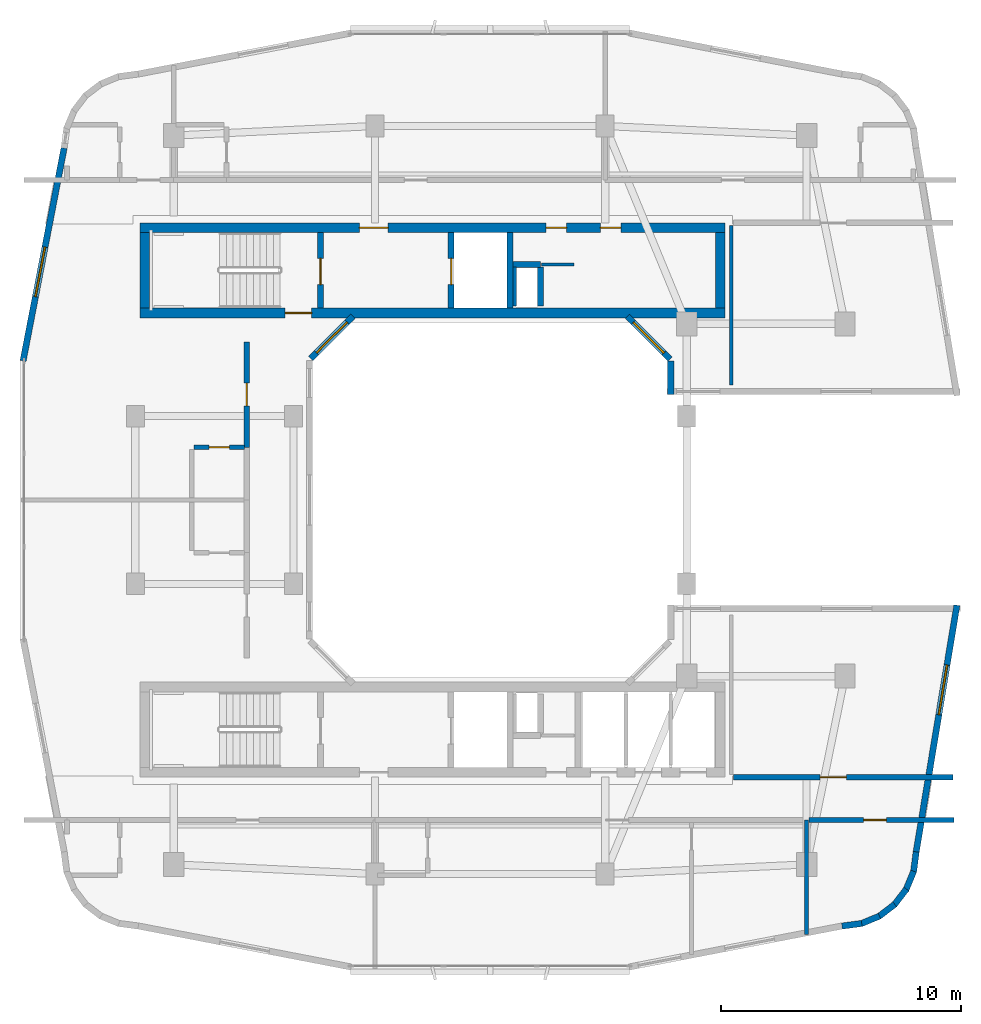
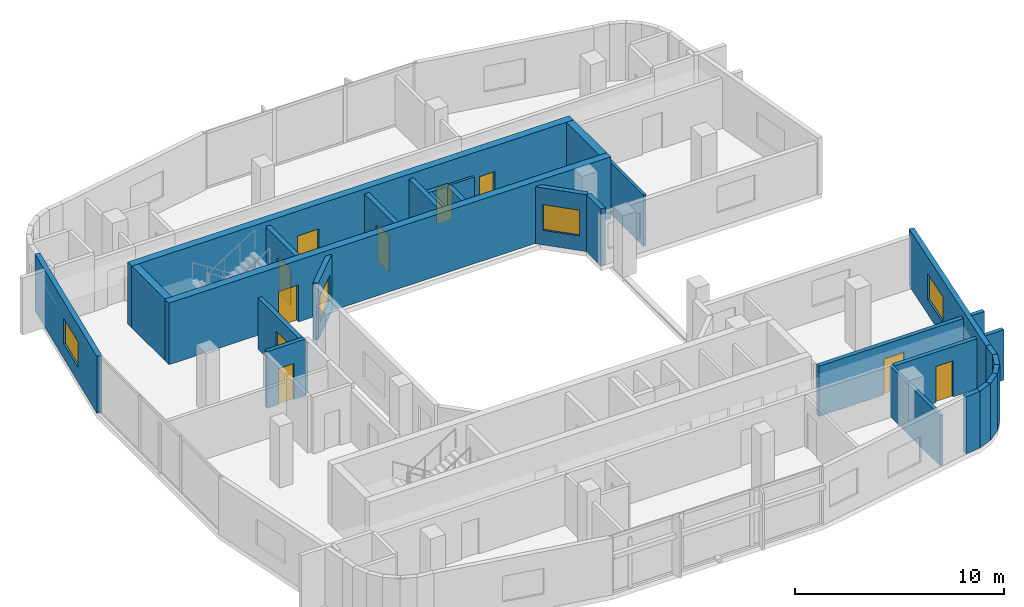
# One storey, part 6 of 12: 28 walls, 10 doors, 4 windows, 14 openings.
"""IFC4 building model written with IfcOpenShell, lengths in metres."""

import ifcopenshell
import ifcopenshell.guid

model = None  # the IFC model being written
_history = None  # IfcOwnerHistory: only IFC2X3 demands one
_inside = {}  # id of a spatial element -> (the spatial element, [elements in it])
_under = {}  # id of a project, library or spatial element -> (it, [spatial elements below it])
_declared = {}  # id of a project -> (the project, [libraries it declares])
_typed = {}  # id of a type object -> (the type object, [elements of that type])
_made_of = {}  # id of a material, layer set ... -> (it, [elements and type objects made of it])


def new_model(schema):
    """Start an empty IFC model of exactly this schema.

    Asked for "IFC4X3", IfcOpenShell would pick the latest addendum, in which some entities
    have other attributes; the version numbers below select the first issue.
    IFC2X3 requires an IfcOwnerHistory on every rooted entity: one is made here for all.
    """
    global model, _history
    if schema == "IFC4X3":
        model = ifcopenshell.file(schema_version=(4, 3, 0, 0))
    else:
        model = ifcopenshell.file(schema=schema)
    _inside.clear()
    _under.clear()
    _declared.clear()
    _typed.clear()
    _made_of.clear()
    _history = None
    if model.schema == "IFC2X3":
        org = make("IfcOrganization", Name="unknown")
        user = make(
            "IfcPersonAndOrganization",
            ThePerson=make("IfcPerson", FamilyName="unknown"),
            TheOrganization=org,
        )
        app = make(
            "IfcApplication",
            ApplicationDeveloper=org,
            Version="unknown",
            ApplicationFullName="unknown",
            ApplicationIdentifier="unknown",
        )
        _history = make(
            "IfcOwnerHistory",
            OwningUser=user,
            OwningApplication=app,
            ChangeAction="ADDED",
            CreationDate=0,
        )
    return model


def make(cls, **values):
    """One entity of the class cls with the attributes given. An attribute that is None is left unset."""
    return model.create_entity(
        cls, **{name: value for name, value in values.items() if value is not None}
    )


def rooted(cls, **values):
    """An entity with a GlobalId (a new one), such as an element, a storey or a relation."""
    return make(cls, GlobalId=ifcopenshell.guid.new(), OwnerHistory=_history, **values)


def si_unit(unit_type, name, prefix=None):
    """IfcSIUnit, for example si_unit("LENGTHUNIT", "METRE", prefix="MILLI")."""
    return make("IfcSIUnit", UnitType=unit_type, Prefix=prefix, Name=name)


def derived_unit(unit_type, elements):
    """IfcDerivedUnit: a product of units, each with its exponent."""
    return make(
        "IfcDerivedUnit",
        Elements=[
            make("IfcDerivedUnitElement", Unit=unit, Exponent=power)
            for unit, power in elements
        ],
        UnitType=unit_type,
    )


def assignment(units):
    """IfcUnitAssignment: the units of a project."""
    return None if units is None else make("IfcUnitAssignment", Units=units)


def point(xyz):
    """IfcCartesianPoint."""
    return None if xyz is None else make("IfcCartesianPoint", Coordinates=xyz)


def direction(xyz):
    """IfcDirection."""
    return None if xyz is None else make("IfcDirection", DirectionRatios=xyz)


def frame(location, z_axis=None, x_axis=None):
    """IfcAxis2Placement3D, a coordinate frame: its origin and axes. An axis left out is left unset."""
    return make(
        "IfcAxis2Placement3D",
        Location=point(location),
        Axis=direction(z_axis),
        RefDirection=direction(x_axis),
    )


def frame_2d(location, x_axis=None):
    """IfcAxis2Placement2D, a coordinate frame in the plane: its origin and x axis."""
    return make(
        "IfcAxis2Placement2D", Location=point(location), RefDirection=direction(x_axis)
    )


def origin():
    """The frame at (0, 0, 0) with its axes left unset."""
    return frame((0.0, 0.0, 0.0))


def place(relative_to, where):
    """IfcLocalPlacement: puts the frame where relative to a parent placement (None: the world)."""
    return make(
        "IfcLocalPlacement", PlacementRelTo=relative_to, RelativePlacement=where
    )


def context(
    kind, dimensions, precision=None, world=None, true_north=None, identifier=None
):
    """IfcGeometricRepresentationContext, for example the 3D "Model" context."""
    return make(
        "IfcGeometricRepresentationContext",
        ContextIdentifier=identifier,
        ContextType=kind,
        CoordinateSpaceDimension=dimensions,
        Precision=precision,
        WorldCoordinateSystem=world,
        TrueNorth=true_north,
    )


def subcontext(parent, identifier, kind, view, scale=None):
    """IfcGeometricRepresentationSubContext, for example "Body" below "Model"."""
    return make(
        "IfcGeometricRepresentationSubContext",
        ContextIdentifier=identifier,
        ContextType=kind,
        ParentContext=parent,
        TargetScale=scale,
        TargetView=view,
    )


def project(units=None, contexts=None):
    """IfcProject with its units and contexts."""
    return rooted(
        "IfcProject",
        Name="project",
        RepresentationContexts=contexts,
        UnitsInContext=assignment(units),
    )


def spatial(cls, under=None, at=None, **own):
    """A site, building, storey or space (cls), placed at a placement, below another one or the project."""
    s = rooted(cls, ObjectPlacement=at, **own)
    if under is not None:
        _under.setdefault(under.id(), (under, []))[1].append(s)
    return s


def profile(cls, at=None, kind="AREA", **sizes):
    """A parametric profile (cls). Its sizes go by their IFC names, for example OverallWidth=200.0."""
    return make(cls, ProfileType=kind, Position=at, **sizes)


def rectangle(**sizes):
    """IfcRectangleProfileDef."""
    return profile("IfcRectangleProfileDef", **sizes)


def extrude(swept, where, along, depth):
    """IfcExtrudedAreaSolid: the profile swept, set in the frame where, extruded along a direction by depth."""
    return make(
        "IfcExtrudedAreaSolid",
        SweptArea=swept,
        Position=where,
        ExtrudedDirection=direction(along),
        Depth=depth,
    )


def shape(context_of_items, identifier, shape_type, items):
    """IfcShapeRepresentation: the items that make up one representation, for example the "Body"."""
    return make(
        "IfcShapeRepresentation",
        ContextOfItems=context_of_items,
        RepresentationIdentifier=identifier,
        RepresentationType=shape_type,
        Items=items,
    )


def material(Name=None, Category=None):
    """IfcMaterial."""
    return make("IfcMaterial", Name=Name, Category=Category)


def layer(
    of_material, thickness, ventilated=None, Name=None, Category=None, Priority=None
):
    """IfcMaterialLayer: one layer of a wall or slab, of a material (None: an air gap)."""
    return make(
        "IfcMaterialLayer",
        Material=of_material,
        LayerThickness=thickness,
        IsVentilated=ventilated,
        Name=Name,
        Category=Category,
        Priority=Priority,
    )


def layer_set(layers, Name=None):
    """IfcMaterialLayerSet."""
    return make("IfcMaterialLayerSet", MaterialLayers=layers, LayerSetName=Name)


def made_of(thing, what):
    """Note that an element or type object is made of a material, layer set ...; save() writes the relation."""
    if what is not None:
        _made_of.setdefault(what.id(), (what, []))[1].append(thing)
    return thing


def type_object(cls, material=None, **own):
    """A type object (cls), such as IfcWallType, which elements share."""
    return made_of(rooted(cls, **own), material)


def element(
    cls,
    number,
    at=None,
    inside=None,
    cuts=None,
    type_object=None,
    material=None,
    context=None,
    identifier="Body",
    shape_type=None,
    held_by="IfcProductDefinitionShape",
    body=None,
    shapes=None,
    **own,
):
    """One element of the class cls, such as IfcWall. Its Tag is "e" and its number.

    at: its placement. inside: the storey or other place that contains it. cuts: it is an
    opening in that element (IfcRelVoidsElement). A single representation is given by context,
    identifier, shape_type and body (its items); several are given by shapes. held_by: the class
    of the entity that holds the representations. save() writes the other relations.
    """
    e = rooted(cls, Tag="e%d" % number, ObjectPlacement=at, **own)
    if body is not None:
        shapes = [shape(context, identifier, shape_type, body)]
    if shapes is not None:
        e.Representation = make(held_by, Representations=shapes)
    if inside is not None:
        _inside.setdefault(inside.id(), (inside, []))[1].append(e)
    if cuts is not None:
        rooted(
            "IfcRelVoidsElement", RelatingBuildingElement=cuts, RelatedOpeningElement=e
        )
    if type_object is not None:
        _typed.setdefault(type_object.id(), (type_object, []))[1].append(e)
    return made_of(e, material)


def fill(opening, filler):
    """IfcRelFillsElement: the door or window that sits in an opening."""
    return rooted(
        "IfcRelFillsElement",
        RelatingOpeningElement=opening,
        RelatedBuildingElement=filler,
    )


def aggregate(whole, parts):
    """IfcRelAggregates: a whole, such as a stair, and the parts it consists of."""
    return rooted("IfcRelAggregates", RelatingObject=whole, RelatedObjects=parts)


def save(model, path):
    """Write the relations noted so far, then the file.

    IfcRelAggregates (storeys below a building ...), IfcRelContainedInSpatialStructure (elements
    in a storey), IfcRelDefinesByType, IfcRelAssociatesMaterial and IfcRelDeclares: one each for
    every whole, place, type object, material and project.
    """
    for whole, parts in _under.values():
        aggregate(whole, parts)
    for where, things in _inside.values():
        rooted(
            "IfcRelContainedInSpatialStructure",
            RelatedElements=things,
            RelatingStructure=where,
        )
    for kind, things in _typed.values():
        rooted("IfcRelDefinesByType", RelatedObjects=things, RelatingType=kind)
    for what, things in _made_of.values():
        rooted("IfcRelAssociatesMaterial", RelatedObjects=things, RelatingMaterial=what)
    for by, libraries in _declared.values():
        rooted("IfcRelDeclares", RelatingContext=by, RelatedDefinitions=libraries)
    model.write(path)


model = new_model("IFC4")

# Units and contexts
model_context = context("Model", 3, precision=1e-05, world=origin(), true_north=direction((0.0, 1.0)))
body_context = subcontext(model_context, "Body", "Model", "MODEL_VIEW")
ifc_project = project(units=[si_unit("LENGTHUNIT", "METRE"), si_unit("AREAUNIT", "SQUARE_METRE"), si_unit("VOLUMEUNIT", "CUBIC_METRE"), si_unit("PLANEANGLEUNIT", "RADIAN"), si_unit("MASSUNIT", "GRAM", prefix="KILO"), derived_unit("THERMALTRANSMITTANCEUNIT", [(si_unit("POWERUNIT", "WATT"), 1), (si_unit("LENGTHUNIT", "METRE"), -2), (si_unit("THERMODYNAMICTEMPERATUREUNIT", "KELVIN"), -1)])], contexts=[model_context])

# Site, building, storey
site_placement = place(None, origin())
site = spatial("IfcSite", under=ifc_project, at=site_placement, CompositionType="ELEMENT")
building_placement = place(site_placement, origin())
building = spatial("IfcBuilding", under=site, at=building_placement, Name="Kivonza Crest Hotel", CompositionType="ELEMENT")
storey_placement = place(building_placement, frame((0.0, 0.0, 191.89990234375)))
storey = spatial("IfcBuildingStorey", under=building, at=storey_placement, Name="L52", CompositionType="ELEMENT", Elevation=191.89990234375)

# Wall
ifc_material_1 = material(Name="High-density acoustic masonry inter-tenancy wall", Category="masonry")
ifc_layer_1 = layer(ifc_material_1, 0.179931640625)
ifc_layer_set_1 = layer_set([ifc_layer_1], Name="High-density acoustic masonry inter-tenancy wall")
wall_type_1 = type_object("IfcWallType", Name="WL-ACOU-180", PredefinedType="SOLIDWALL", material=ifc_layer_set_1)
wall_1_placement = place(storey_placement, frame((34.199951171875, 6.8720703125, 0.0), z_axis=(0.0, 0.0, 1.0), x_axis=(0.0, 1.0, 0.0)))
element("IfcWall", 1, at=wall_1_placement, inside=storey, type_object=wall_type_1, Name="L52 interior partition WA-L52-T1S-DIV2", PredefinedType="SOLIDWALL", context=body_context, shape_type="SweptSolid", body=[
    extrude(rectangle(XDim=4.77783203125, YDim=0.179931640625, at=frame_2d((2.388916015625, 0.0))), origin(), (0.0, 0.0, 1.0), 2.93505859375),
])

# Wall, opening, door
ifc_material_2 = material(Name="Autoclaved aerated concrete blockwork", Category="masonry")
ifc_layer_2 = layer(ifc_material_2, 0.219970703125)
ifc_layer_set_2 = layer_set([ifc_layer_2], Name="Autoclaved aerated concrete blockwork")
wall_type_2 = type_object("IfcWallType", Name="WL-ACOU-220", PredefinedType="SOLIDWALL", material=ifc_layer_set_2)
wall_2_placement = place(storey_placement, frame((34.300048828125, 11.64990234375, 0.0), z_axis=(0.0, 0.0, 1.0), x_axis=(1.0, 0.0, 0.0)))
wall_2 = element("IfcWall", 2, at=wall_2_placement, inside=storey, type_object=wall_type_2, Name="L52 interior partition WA-L52-BUS-MTG-N", PredefinedType="SOLIDWALL", context=body_context, shape_type="SweptSolid", body=[
    extrude(rectangle(XDim=6.0400390625, YDim=0.219970703125, at=frame_2d((3.02001953125, 0.0))), origin(), (0.0, 0.0, 1.0), 2.93505859375),
])
opening_1_placement = place(wall_2_placement, frame((2.280029296875, 0.0, 0.0)))
opening_1 = element("IfcOpeningElement", 3, at=opening_1_placement, cuts=wall_2, Name="Opening DF-60S", PredefinedType="OPENING", context=body_context, shape_type="SweptSolid", body=[
    extrude(rectangle(XDim=0.949951171875, YDim=2.10009765625, at=frame_2d((0.47509765625, 1.050048828125))), frame((0.0, 0.1201171875, 0.0), z_axis=(0.0, -1.0, 0.0), x_axis=(1.0, 0.0, 0.0)), (0.0, 0.0, 1.0), 0.239990234375),
])
ifc_material_3 = material(Name="Hardwood timber oak", Category="wood")
door_type_1 = type_object("IfcDoorType", Name="DR-FD60-950", OperationType="NOTDEFINED", PredefinedType="DOOR", material=ifc_material_3)
door_1_placement = place(opening_1_placement, frame((0.949951171875, 0.0, 0.0), z_axis=(0.0, 0.0, 1.0), x_axis=(-1.0, 0.0, 0.0)))
door_1 = element("IfcDoor", 4, at=door_1_placement, inside=storey, type_object=door_type_1, Name="L52 Floor Beverage Kitchen door", OperationType="SINGLE_SWING_RIGHT", OverallHeight=2.10009765625, OverallWidth=0.949951171875, PredefinedType="DOOR", context=body_context, shape_type="SweptSolid", body=[
    extrude(rectangle(XDim=0.949951171875, YDim=2.10009765625, at=frame_2d((0.47509765625, 1.050048828125))), frame((0.0, 0.02490234375, 0.0), z_axis=(0.0, -1.0, 0.0), x_axis=(1.0, 0.0, 0.0)), (0.0, 0.0, 1.0), 0.050048828125),
])
fill(opening_1, door_1)

wall_3_placement = place(storey_placement, frame((10.85009765625, 27.199951171875, 0.0), z_axis=(0.0, 0.0, 1.0), x_axis=(0.0, 1.0, 0.0)))
wall_3 = element("IfcWall", 5, at=wall_3_placement, inside=storey, type_object=wall_type_2, Name="L52 interior partition WA-L52-W07-MCORR", PredefinedType="SOLIDWALL", context=body_context, shape_type="SweptSolid", body=[
    extrude(rectangle(XDim=4.400146484375, YDim=0.219970703125, at=frame_2d((2.2001953125, 0.0))), origin(), (0.0, 0.0, 1.0), 2.9951171875),
])
opening_2_placement = place(wall_3_placement, frame((1.72509765625, 0.0, 0.0)))
opening_2 = element("IfcOpeningElement", 6, at=opening_2_placement, cuts=wall_3, Name="Opening DU-60", PredefinedType="OPENING", context=body_context, shape_type="SweptSolid", body=[
    extrude(rectangle(XDim=0.949951171875, YDim=2.10009765625, at=frame_2d((0.47509765625, 1.050048828125))), frame((0.0, 0.1201171875, 0.0), z_axis=(0.0, -1.0, 0.0), x_axis=(1.0, 0.0, 0.0)), (0.0, 0.0, 1.0), 0.239990234375),
])
door_type_2 = type_object("IfcDoorType", Name="DR-UNIT-950", OperationType="NOTDEFINED", PredefinedType="DOOR", material=ifc_material_3)
door_2_placement = place(opening_2_placement, origin())
door_2 = element("IfcDoor", 7, at=door_2_placement, inside=storey, type_object=door_type_2, Name="L52 W07 guest unit entrance fire door", OperationType="SINGLE_SWING_LEFT", OverallHeight=2.10009765625, OverallWidth=0.949951171875, PredefinedType="DOOR", context=body_context, shape_type="SweptSolid", body=[
    extrude(rectangle(XDim=0.949951171875, YDim=2.10009765625, at=frame_2d((0.47509765625, 1.050048828125))), frame((0.0, 0.02490234375, 0.0), z_axis=(0.0, -1.0, 0.0), x_axis=(1.0, 0.0, 0.0)), (0.0, 0.0, 1.0), 0.050048828125),
])
fill(opening_2, door_2)

wall_4_placement = place(storey_placement, frame((31.14990234375, 13.43994140625, 0.0), z_axis=(0.0, 0.0, 1.0), x_axis=(1.0, 0.0, 0.0)))
wall_4 = element("IfcWall", 8, at=wall_4_placement, inside=storey, type_object=wall_type_2, Name="L52 interior partition WA-L52-EP1-S", PredefinedType="SOLIDWALL", context=body_context, shape_type="SweptSolid", body=[
    extrude(rectangle(XDim=9.150146484375, YDim=0.219970703125, at=frame_2d((4.5751953125, 0.0))), origin(), (0.0, 0.0, 1.0), 2.93505859375),
])
opening_3_placement = place(wall_4_placement, frame((3.612060546875, 0.0, 0.0)))
opening_3 = element("IfcOpeningElement", 9, at=opening_3_placement, cuts=wall_4, Name="Opening DF-60M", PredefinedType="OPENING", context=body_context, shape_type="SweptSolid", body=[
    extrude(rectangle(XDim=1.10009765625, YDim=2.10009765625, at=frame_2d((0.550048828125, 1.050048828125))), frame((0.0, 0.1201171875, 0.0), z_axis=(0.0, -1.0, 0.0), x_axis=(1.0, 0.0, 0.0)), (0.0, 0.0, 1.0), 0.239990234375),
])
door_type_3 = type_object("IfcDoorType", Name="DR-FD60-1100", OperationType="NOTDEFINED", PredefinedType="DOOR", material=ifc_material_3)
door_3_placement = place(opening_3_placement, origin())
door_3 = element("IfcDoor", 10, at=door_3_placement, inside=storey, type_object=door_type_3, Name="L52 South Portal Sky Salon door", OperationType="SINGLE_SWING_RIGHT", OverallHeight=2.10009765625, OverallWidth=1.10009765625, PredefinedType="DOOR", context=body_context, shape_type="SweptSolid", body=[
    extrude(rectangle(XDim=1.10009765625, YDim=2.10009765625, at=frame_2d((0.550048828125, 1.050048828125))), frame((0.0, 0.02490234375, 0.0), z_axis=(0.0, -1.0, 0.0), x_axis=(1.0, 0.0, 0.0)), (0.0, 0.0, 1.0), 0.050048828125),
])
fill(opening_3, door_3)

ifc_material_4 = material(Name="Concrete C50/60", Category="concrete")
ifc_layer_3 = layer(ifc_material_4, 0.39990234375)
ifc_layer_set_3 = layer_set([ifc_layer_3], Name="Concrete C50/60")
wall_type_3 = type_object("IfcWallType", Name="WL-CORE-400", PredefinedType="SHEAR", material=ifc_layer_set_3)
wall_5_placement = place(storey_placement, frame((6.39990234375, 32.800048828125, 0.0), z_axis=(0.0, 0.0, 1.0), x_axis=(1.0, 0.0, 0.0)))
wall_5 = element("IfcWall", 11, at=wall_5_placement, inside=storey, type_object=wall_type_3, Name="Core wall T1-N South L52", PredefinedType="SHEAR", context=body_context, shape_type="SweptSolid", body=[
    extrude(rectangle(XDim=24.400146484375, YDim=0.39990234375, at=frame_2d((12.2001953125, 0.0))), origin(), (0.0, 0.0, 1.0), 3.60009765625),
])
opening_4_placement = place(wall_5_placement, frame((6.050048828125, 0.0, 0.0)))
opening_4 = element("IfcOpeningElement", 12, at=opening_4_placement, cuts=wall_5, Name="Opening DF-120", PredefinedType="OPENING", context=body_context, shape_type="SweptSolid", body=[
    extrude(rectangle(XDim=1.10009765625, YDim=2.14990234375, at=frame_2d((0.550048828125, 1.074951171875))), frame((0.0, 0.2099609375, 0.0), z_axis=(0.0, -1.0, 0.0), x_axis=(1.0, 0.0, 0.0)), (0.0, 0.0, 1.0), 0.419921875),
])
ifc_material_5 = material(Name="Galvanised steel", Category="steel")
door_type_4 = type_object("IfcDoorType", Name="DR-FD120-1100", OperationType="NOTDEFINED", PredefinedType="DOOR", material=ifc_material_5)
door_4_placement = place(opening_4_placement, origin())
door_4 = element("IfcDoor", 13, at=door_4_placement, inside=storey, type_object=door_type_4, Name="L52 West corridor stair access fire door", OperationType="SINGLE_SWING_LEFT", OverallHeight=2.14990234375, OverallWidth=1.10009765625, PredefinedType="DOOR", context=body_context, shape_type="SweptSolid", body=[
    extrude(rectangle(XDim=1.10009765625, YDim=2.14990234375, at=frame_2d((0.550048828125, 1.074951171875))), frame((0.0, 0.02490234375, 0.0), z_axis=(0.0, -1.0, 0.0), x_axis=(1.0, 0.0, 0.0)), (0.0, 0.0, 1.0), 0.050048828125),
])
fill(opening_4, door_4)

# Wall, openings, doors
wall_6_placement = place(storey_placement, frame((6.39990234375, 36.360107421875, 0.0), z_axis=(0.0, 0.0, 1.0), x_axis=(1.0, 0.0, 0.0)))
wall_6 = element("IfcWall", 14, at=wall_6_placement, inside=storey, type_object=wall_type_3, Name="Core wall T1-N North L52", PredefinedType="SHEAR", context=body_context, shape_type="SweptSolid", body=[
    extrude(rectangle(XDim=24.400146484375, YDim=0.39990234375, at=frame_2d((12.2001953125, 0.0))), origin(), (0.0, 0.0, 1.0), 3.60009765625),
])
opening_5_placement = place(wall_6_placement, frame((9.14990234375, 0.0, 0.0)))
opening_5 = element("IfcOpeningElement", 15, at=opening_5_placement, cuts=wall_6, Name="Opening DF-60", PredefinedType="OPENING", context=body_context, shape_type="SweptSolid", body=[
    extrude(rectangle(XDim=1.199951171875, YDim=2.14990234375, at=frame_2d((0.60009765625, 1.074951171875))), frame((0.0, 0.2099609375, 0.0), z_axis=(0.0, -1.0, 0.0), x_axis=(1.0, 0.0, 0.0)), (0.0, 0.0, 1.0), 0.419921875),
])
opening_6_placement = place(wall_6_placement, frame((19.199951171875, 0.0, 0.0)))
opening_6 = element("IfcOpeningElement", 16, at=opening_6_placement, cuts=wall_6, Name="Opening DF-60R", PredefinedType="OPENING", context=body_context, shape_type="SweptSolid", body=[
    extrude(rectangle(XDim=0.85009765625, YDim=2.10009765625, at=frame_2d((0.425048828125, 1.050048828125))), frame((0.0, 0.2099609375, 0.0), z_axis=(0.0, -1.0, 0.0), x_axis=(1.0, 0.0, 0.0)), (0.0, 0.0, 1.0), 0.419921875),
])
opening_7_placement = place(wall_6_placement, frame((16.93994140625, 0.0, 0.0)))
opening_7 = element("IfcOpeningElement", 17, at=opening_7_placement, cuts=wall_6, Name="Opening DF-60R", PredefinedType="OPENING", context=body_context, shape_type="SweptSolid", body=[
    extrude(rectangle(XDim=0.85009765625, YDim=2.10009765625, at=frame_2d((0.425048828125, 1.050048828125))), frame((0.0, 0.2099609375, 0.0), z_axis=(0.0, -1.0, 0.0), x_axis=(1.0, 0.0, 0.0)), (0.0, 0.0, 1.0), 0.419921875),
])
door_type_5 = type_object("IfcDoorType", Name="DR-FD60-1200", OperationType="NOTDEFINED", PredefinedType="DOOR", material=ifc_material_3)
door_5_placement = place(opening_5_placement, origin())
door_5 = element("IfcDoor", 18, at=door_5_placement, inside=storey, type_object=door_type_5, Name="L52 T1-N firefighting lobby fire door", OperationType="SINGLE_SWING_RIGHT", OverallHeight=2.14990234375, OverallWidth=1.199951171875, PredefinedType="DOOR", context=body_context, shape_type="SweptSolid", body=[
    extrude(rectangle(XDim=1.199951171875, YDim=2.14990234375, at=frame_2d((0.60009765625, 1.074951171875))), frame((0.0, 0.02490234375, 0.0), z_axis=(0.0, -1.0, 0.0), x_axis=(1.0, 0.0, 0.0)), (0.0, 0.0, 1.0), 0.050048828125),
])
fill(opening_5, door_5)
door_type_6 = type_object("IfcDoorType", Name="DR-FD60-850", OperationType="NOTDEFINED", PredefinedType="DOOR", material=ifc_material_3)
door_6_placement = place(opening_6_placement, origin())
door_6 = element("IfcDoor", 19, at=door_6_placement, inside=storey, type_object=door_type_6, Name="L52 T1-N reclaimed core service door", OperationType="SINGLE_SWING_LEFT", OverallHeight=2.10009765625, OverallWidth=0.85009765625, PredefinedType="DOOR", context=body_context, shape_type="SweptSolid", body=[
    extrude(rectangle(XDim=0.85009765625, YDim=2.10009765625, at=frame_2d((0.425048828125, 1.050048828125))), frame((0.0, 0.02490234375, 0.0), z_axis=(0.0, -1.0, 0.0), x_axis=(1.0, 0.0, 0.0)), (0.0, 0.0, 1.0), 0.050048828125),
])
fill(opening_6, door_6)
door_7_placement = place(opening_7_placement, origin())
door_7 = element("IfcDoor", 20, at=door_7_placement, inside=storey, type_object=door_type_6, Name="L52 T1-N core room door", OperationType="SINGLE_SWING_RIGHT", OverallHeight=2.10009765625, OverallWidth=0.85009765625, PredefinedType="DOOR", context=body_context, shape_type="SweptSolid", body=[
    extrude(rectangle(XDim=0.85009765625, YDim=2.10009765625, at=frame_2d((0.425048828125, 1.050048828125))), frame((0.0, 0.02490234375, 0.0), z_axis=(0.0, -1.0, 0.0), x_axis=(1.0, 0.0, 0.0)), (0.0, 0.0, 1.0), 0.050048828125),
])
fill(opening_7, door_7)

# Walls
for number, where, z_axis, x_axis, name in (
    (21, (6.60009765625, 33.0, 0.0), (0.0, 0.0, 1.0), (0.0, 1.0, 0.0), "Core wall T1-N West L52"),
    (22, (30.60009765625, 33.0, 0.0), (0.0, 0.0, 1.0), (0.0, 1.0, 0.0), "Core wall T1-N East L52"),
):
    element("IfcWall", number, at=place(storey_placement, frame(where, z_axis=z_axis, x_axis=x_axis)), inside=storey, type_object=wall_type_3, Name=name, PredefinedType="SHEAR", context=body_context, shape_type="SweptSolid", body=[
        extrude(rectangle(XDim=3.159912109375, YDim=0.39990234375, at=frame_2d((1.580078125, 0.0))), origin(), (0.0, 0.0, 1.0), 3.60009765625),
    ])
ifc_material_6 = material(Name="Precast concrete C40/50", Category="concrete")
ifc_layer_4 = layer(ifc_material_6, 0.260009765625)
ifc_layer_set_4 = layer_set([ifc_layer_4], Name="Precast concrete C40/50")
wall_type_4 = type_object("IfcWallType", Name="WL-EXT-260", PredefinedType="STANDARD", material=ifc_layer_set_4)
wall_7_placement = place(storey_placement, frame((35.675048828125, 7.22802734375, 0.0), z_axis=(0.0, 0.0, 1.0), x_axis=(0.99142134712, 0.130704676564, 0.0)))
element("IfcWall", 23, at=wall_7_placement, inside=storey, type_object=wall_type_4, Name="L52 T1 exterior insulated wall 10", PredefinedType="STANDARD", context=body_context, shape_type="SweptSolid", body=[
    extrude(rectangle(XDim=0.8330078125, YDim=0.260009765625, at=frame_2d((0.41650390625, 0.0))), origin(), (0.0, 0.0, 1.0), 3.320068359375),
])
wall_8_placement = place(storey_placement, frame((36.455078125, 7.319091796875, 0.0), z_axis=(0.0, 0.0, 1.0), x_axis=(0.923712395518, 0.383086687796, 0.0)))
element("IfcWall", 24, at=wall_8_placement, inside=storey, type_object=wall_type_4, Name="L52 T1 exterior insulated wall 11", PredefinedType="STANDARD", context=body_context, shape_type="SweptSolid", body=[
    extrude(rectangle(XDim=0.850830078125, YDim=0.260009765625, at=frame_2d((0.42529296875, 0.0))), origin(), (0.0, 0.0, 1.0), 3.320068359375),
])
for number, where, z_axis, x_axis, name in (
    (25, (37.200927734375, 7.616943359375, 0.0), (0.0, 0.0, 1.0), (0.793860452124, 0.608099977432, 0.0), "L52 T1 exterior insulated wall 12"),
    (26, (37.844970703125, 8.095947265625, 0.0), (0.0, 0.0, 1.0), (0.608099977432, 0.793860452124, 0.0), "L52 T1 exterior insulated wall 13"),
):
    element("IfcWall", number, at=place(storey_placement, frame(where, z_axis=z_axis, x_axis=x_axis)), inside=storey, type_object=wall_type_4, Name=name, PredefinedType="STANDARD", context=body_context, shape_type="SweptSolid", body=[
        extrude(rectangle(XDim=0.850341796875, YDim=0.260009765625, at=frame_2d((0.42529296875, 0.0))), origin(), (0.0, 0.0, 1.0), 3.320068359375),
    ])
wall_9_placement = place(storey_placement, frame((38.341064453125, 8.72705078125, 0.0), z_axis=(0.0, 0.0, 1.0), x_axis=(0.383086687796, 0.923712395518, 0.0)))
element("IfcWall", 27, at=wall_9_placement, inside=storey, type_object=wall_type_4, Name="L52 T1 exterior insulated wall 14", PredefinedType="STANDARD", context=body_context, shape_type="SweptSolid", body=[
    extrude(rectangle(XDim=0.850830078125, YDim=0.260009765625, at=frame_2d((0.42529296875, 0.0))), origin(), (0.0, 0.0, 1.0), 3.320068359375),
])
wall_10_placement = place(storey_placement, frame((38.658935546875, 9.464111328125, 0.0), z_axis=(0.0, 0.0, 1.0), x_axis=(0.130192647656, 0.991488716273, 0.0)))
element("IfcWall", 28, at=wall_10_placement, inside=storey, type_object=wall_type_4, Name="L52 T1 exterior insulated wall 15", PredefinedType="STANDARD", context=body_context, shape_type="SweptSolid", body=[
    extrude(rectangle(XDim=0.8681640625, YDim=0.260009765625, at=frame_2d((0.43408203125, 0.0))), origin(), (0.0, 0.0, 1.0), 3.320068359375),
])

# Wall, opening, window
wall_11_placement = place(storey_placement, frame((38.77099609375, 10.31298828125, 0.0), z_axis=(0.0, 0.0, 1.0), x_axis=(0.16277908586, 0.986662540693, 0.0)))
wall_11 = element("IfcWall", 29, at=wall_11_placement, inside=storey, type_object=wall_type_4, Name="L52 T1 exterior insulated wall 16", PredefinedType="STANDARD", context=body_context, shape_type="SweptSolid", body=[
    extrude(rectangle(XDim=10.437255859375, YDim=0.260009765625, at=frame_2d((5.21875, 0.0))), origin(), (0.0, 0.0, 1.0), 3.320068359375),
])
opening_8_placement = place(wall_11_placement, frame((5.81005859375, 0.0, 0.85009765625)))
opening_8 = element("IfcOpeningElement", 30, at=opening_8_placement, cuts=wall_11, Name="Opening WN-04", PredefinedType="OPENING", context=body_context, shape_type="SweptSolid", body=[
    extrude(rectangle(XDim=2.10009765625, YDim=1.5, at=frame_2d((1.050048828125, 0.75))), frame((0.0, 0.14013671875, 0.0), z_axis=(0.0, -1.0, 0.0), x_axis=(1.0, 0.0, 0.0)), (0.0, 0.0, 1.0), 0.280029296875),
])
ifc_material_7 = material(Name="Thermally broken bronze aluminium and low-E double glazing", Category="aluminium")
window_type_1 = type_object("IfcWindowType", Name="WN-210x150", PartitioningType="DOUBLE_PANEL_VERTICAL", PredefinedType="WINDOW", material=ifc_material_7)
window_1_placement = place(opening_8_placement, origin())
window_1 = element("IfcWindow", 31, at=window_1_placement, inside=storey, type_object=window_type_1, Name="L52 T1 facade window 16", OverallHeight=1.5, OverallWidth=2.10009765625, PartitioningType="SINGLE_PANEL", PredefinedType="WINDOW", context=body_context, shape_type="SweptSolid", body=[
    extrude(rectangle(XDim=2.10009765625, YDim=1.5, at=frame_2d((1.050048828125, 0.75))), frame((0.0, 0.030029296875, 0.0), z_axis=(0.0, -1.0, 0.0), x_axis=(1.0, 0.0, 0.0)), (0.0, 0.0, 1.0), 0.06005859375),
])
fill(opening_8, window_1)

wall_12_placement = place(storey_placement, frame((13.514892578125, 30.89892578125, 0.0), z_axis=(0.0, 0.0, 1.0), x_axis=(0.707106781187, 0.707106781187, 0.0)))
wall_12 = element("IfcWall", 32, at=wall_12_placement, inside=storey, type_object=wall_type_4, Name="L52 T1 exterior insulated wall 23", PredefinedType="STANDARD", context=body_context, shape_type="SweptSolid", body=[
    extrude(rectangle(XDim=2.493408203125, YDim=0.260009765625, at=frame_2d((1.24658203125, 0.0))), origin(), (0.0, 0.0, 1.0), 3.320068359375),
])
opening_9_placement = place(wall_12_placement, frame((0.346923828125, 0.0, 0.85009765625)))
opening_9 = element("IfcOpeningElement", 33, at=opening_9_placement, cuts=wall_12, Name="Opening WN-03", PredefinedType="OPENING", context=body_context, shape_type="SweptSolid", body=[
    extrude(rectangle(XDim=1.800048828125, YDim=1.5, at=frame_2d((0.89990234375, 0.75))), frame((0.0, 0.14013671875, 0.0), z_axis=(0.0, -1.0, 0.0), x_axis=(1.0, 0.0, 0.0)), (0.0, 0.0, 1.0), 0.280029296875),
])
window_type_2 = type_object("IfcWindowType", Name="WN-180x150", PartitioningType="DOUBLE_PANEL_VERTICAL", PredefinedType="WINDOW", material=ifc_material_7)
window_2_placement = place(opening_9_placement, origin())
window_2 = element("IfcWindow", 34, at=window_2_placement, inside=storey, type_object=window_type_2, Name="L52 T1 facade window 23", OverallHeight=1.5, OverallWidth=1.800048828125, PartitioningType="SINGLE_PANEL", PredefinedType="WINDOW", context=body_context, shape_type="SweptSolid", body=[
    extrude(rectangle(XDim=1.800048828125, YDim=1.5, at=frame_2d((0.89990234375, 0.75))), frame((0.0, 0.030029296875, 0.0), z_axis=(0.0, -1.0, 0.0), x_axis=(1.0, 0.0, 0.0)), (0.0, 0.0, 1.0), 0.06005859375),
])
fill(opening_9, window_2)

wall_13_placement = place(storey_placement, frame((26.721923828125, 32.662109375, 0.0), z_axis=(0.0, 0.0, 1.0), x_axis=(0.707106781187, -0.707106781187, 0.0)))
wall_13 = element("IfcWall", 35, at=wall_13_placement, inside=storey, type_object=wall_type_4, Name="L52 T1 exterior insulated wall 25", PredefinedType="STANDARD", context=body_context, shape_type="SweptSolid", body=[
    extrude(rectangle(XDim=2.52880859375, YDim=0.260009765625, at=frame_2d((1.264404296875, 0.0))), origin(), (0.0, 0.0, 1.0), 3.320068359375),
])
opening_10_placement = place(wall_13_placement, frame((0.364013671875, 0.0, 0.85009765625)))
opening_10 = element("IfcOpeningElement", 36, at=opening_10_placement, cuts=wall_13, Name="Opening WN-03", PredefinedType="OPENING", context=body_context, shape_type="SweptSolid", body=[
    extrude(rectangle(XDim=1.800048828125, YDim=1.5, at=frame_2d((0.89990234375, 0.75))), frame((0.0, 0.14013671875, 0.0), z_axis=(0.0, -1.0, 0.0), x_axis=(1.0, 0.0, 0.0)), (0.0, 0.0, 1.0), 0.280029296875),
])
window_3_placement = place(opening_10_placement, origin())
window_3 = element("IfcWindow", 37, at=window_3_placement, inside=storey, type_object=window_type_2, Name="L52 T1 facade window 25", OverallHeight=1.5, OverallWidth=1.800048828125, PartitioningType="SINGLE_PANEL", PredefinedType="WINDOW", context=body_context, shape_type="SweptSolid", body=[
    extrude(rectangle(XDim=1.800048828125, YDim=1.5, at=frame_2d((0.89990234375, 0.75))), frame((0.0, 0.030029296875, 0.0), z_axis=(0.0, -1.0, 0.0), x_axis=(1.0, 0.0, 0.0)), (0.0, 0.0, 1.0), 0.06005859375),
])
fill(opening_10, window_3)

# Wall
wall_14_placement = place(storey_placement, frame((28.530029296875, 30.7900390625, 0.0), z_axis=(0.0, 0.0, 1.0), x_axis=(0.0, -1.0, 0.0)))
element("IfcWall", 38, at=wall_14_placement, inside=storey, type_object=wall_type_4, Name="L52 T1 exterior insulated wall 26", PredefinedType="STANDARD", context=body_context, shape_type="SweptSolid", body=[
    extrude(rectangle(XDim=1.380126953125, YDim=0.260009765625, at=frame_2d((0.68994140625, 0.0))), origin(), (0.0, 0.0, 1.0), 3.320068359375),
])

# Wall, opening, window
wall_15_placement = place(storey_placement, frame((3.22998046875, 39.68310546875, 0.0), z_axis=(0.0, 0.0, 1.0), x_axis=(-0.189254809039, -0.98192801022, 0.0)))
wall_15 = element("IfcWall", 39, at=wall_15_placement, inside=storey, type_object=wall_type_4, Name="L52 T1 exterior insulated wall 44", PredefinedType="STANDARD", context=body_context, shape_type="SweptSolid", body=[
    extrude(rectangle(XDim=9.045654296875, YDim=0.260009765625, at=frame_2d((4.52294921875, 0.0))), origin(), (0.0, 0.0, 1.0), 3.320068359375),
])
opening_11_placement = place(wall_15_placement, frame((4.2119140625, 0.0, 0.85009765625)))
opening_11 = element("IfcOpeningElement", 40, at=opening_11_placement, cuts=wall_15, Name="Opening WN-04", PredefinedType="OPENING", context=body_context, shape_type="SweptSolid", body=[
    extrude(rectangle(XDim=2.10009765625, YDim=1.5, at=frame_2d((1.050048828125, 0.75))), frame((0.0, 0.14013671875, 0.0), z_axis=(0.0, -1.0, 0.0), x_axis=(1.0, 0.0, 0.0)), (0.0, 0.0, 1.0), 0.280029296875),
])
window_4_placement = place(opening_11_placement, origin())
window_4 = element("IfcWindow", 41, at=window_4_placement, inside=storey, type_object=window_type_1, Name="L52 T1 facade window 44", OverallHeight=1.5, OverallWidth=2.10009765625, PartitioningType="SINGLE_PANEL", PredefinedType="WINDOW", context=body_context, shape_type="SweptSolid", body=[
    extrude(rectangle(XDim=2.10009765625, YDim=1.5, at=frame_2d((1.050048828125, 0.75))), frame((0.0, 0.030029296875, 0.0), z_axis=(0.0, -1.0, 0.0), x_axis=(1.0, 0.0, 0.0)), (0.0, 0.0, 1.0), 0.06005859375),
])
fill(opening_11, window_4)

# Walls
ifc_material_8 = material(Name="Concrete blockwork fire-compartment wall", Category="masonry")
ifc_layer_5 = layer(ifc_material_8, 0.25)
ifc_layer_set_5 = layer_set([ifc_layer_5], Name="Concrete blockwork fire-compartment wall")
wall_type_5 = type_object("IfcWallType", Name="WL-FIRE-250", PredefinedType="SOLIDWALL", material=ifc_layer_set_5)
wall_16_placement = place(storey_placement, frame((23.10009765625, 33.10009765625, 0.0), z_axis=(0.0, 0.0, 1.0), x_axis=(0.0, 1.0, 0.0)))
element("IfcWall", 42, at=wall_16_placement, inside=storey, type_object=wall_type_5, Name="L52 interior partition WA-L52-T1-N-MEPR-E", PredefinedType="SOLIDWALL", context=body_context, shape_type="SweptSolid", body=[
    extrude(rectangle(XDim=1.619873046875, YDim=0.25, at=frame_2d((0.81005859375, 0.0))), origin(), (0.0, 0.0, 1.0), 3.320068359375),
])
wall_17_placement = place(storey_placement, frame((21.949951171875, 34.820068359375, 0.0), z_axis=(0.0, 0.0, 1.0), x_axis=(1.0, 0.0, 0.0)))
element("IfcWall", 43, at=wall_17_placement, inside=storey, type_object=wall_type_5, Name="L52 interior partition WA-L52-T1-N-MEPR-H", PredefinedType="SOLIDWALL", context=body_context, shape_type="SweptSolid", body=[
    extrude(rectangle(XDim=1.150146484375, YDim=0.25, at=frame_2d((0.5751953125, 0.0))), origin(), (0.0, 0.0, 1.0), 3.320068359375),
])
ifc_material_9 = material(Name="Metal-stud gypsum board partition", Category="gypsum")
ifc_layer_6 = layer(ifc_material_9, 0.125)
ifc_layer_set_6 = layer_set([ifc_layer_6], Name="Metal-stud gypsum board partition")
wall_type_6 = type_object("IfcWallType", Name="WL-PART-125", PredefinedType="PARTITIONING", material=ifc_layer_set_6)
wall_18_placement = place(storey_placement, frame((23.14990234375, 34.820068359375, 0.0), z_axis=(0.0, 0.0, 1.0), x_axis=(1.0, 0.0, 0.0)))
element("IfcWall", 44, at=wall_18_placement, inside=storey, type_object=wall_type_6, Name="L52 interior partition WP-L52-T1-N-SV2H", PredefinedType="PARTITIONING", context=body_context, shape_type="SweptSolid", body=[
    extrude(rectangle(XDim=1.35009765625, YDim=0.125, at=frame_2d((0.675048828125, 0.0))), origin(), (0.0, 0.0, 1.0), 3.320068359375),
])
ifc_material_10 = material(Name="Twin-stud acoustic gypsum board partition", Category="gypsum")
ifc_layer_7 = layer(ifc_material_10, 0.14990234375)
ifc_layer_set_7 = layer_set([ifc_layer_7], Name="Twin-stud acoustic gypsum board partition")
wall_type_7 = type_object("IfcWallType", Name="WL-PART-150", PredefinedType="PARTITIONING", material=ifc_layer_set_7)
wall_19_placement = place(storey_placement, frame((22.030029296875, 33.10009765625, 0.0), z_axis=(0.0, 0.0, 1.0), x_axis=(0.0, 1.0, 0.0)))
element("IfcWall", 45, at=wall_19_placement, inside=storey, type_object=wall_type_7, Name="L52 interior partition WA-L52-T1-N-MEPR-W", PredefinedType="PARTITIONING", context=body_context, shape_type="SweptSolid", body=[
    extrude(rectangle(XDim=1.619873046875, YDim=0.14990234375, at=frame_2d((0.81005859375, 0.0))), origin(), (0.0, 0.0, 1.0), 3.320068359375),
])
wall_20_placement = place(storey_placement, frame((31.050048828125, 29.800048828125, 0.0), z_axis=(0.0, 0.0, 1.0), x_axis=(0.0, 1.0, 0.0)))
element("IfcWall", 46, at=wall_20_placement, inside=storey, type_object=wall_type_7, Name="L52 interior partition WP-L52-EP2-BW", PredefinedType="PARTITIONING", context=body_context, shape_type="SweptSolid", body=[
    extrude(rectangle(XDim=6.659912109375, YDim=0.14990234375, at=frame_2d((3.330078125, 0.0))), origin(), (0.0, 0.0, 1.0), 2.9951171875),
])

# Wall, opening, door
ifc_material_11 = material(Name="Moisture-resistant plumbing chase partition wall", Category="gypsum")
ifc_layer_8 = layer(ifc_material_11, 0.199951171875)
ifc_layer_set_8 = layer_set([ifc_layer_8], Name="Moisture-resistant plumbing chase partition wall")
wall_type_8 = type_object("IfcWallType", Name="WL-PLUMB-200", PredefinedType="PLUMBINGWALL", material=ifc_layer_set_8)
wall_21_placement = place(storey_placement, frame((8.64990234375, 27.199951171875, 0.0), z_axis=(0.0, 0.0, 1.0), x_axis=(1.0, 0.0, 0.0)))
wall_21 = element("IfcWall", 47, at=wall_21_placement, inside=storey, type_object=wall_type_8, Name="L52 interior partition WW-L52-W07-BH", PredefinedType="PLUMBINGWALL", context=body_context, shape_type="SweptSolid", body=[
    extrude(rectangle(XDim=2.10009765625, YDim=0.199951171875, at=frame_2d((1.050048828125, 0.0))), origin(), (0.0, 0.0, 1.0), 3.320068359375),
])
opening_12_placement = place(wall_21_placement, frame((0.625, 0.0, 0.0)))
opening_12 = element("IfcOpeningElement", 48, at=opening_12_placement, cuts=wall_21, Name="Opening DI-85", PredefinedType="OPENING", context=body_context, shape_type="SweptSolid", body=[
    extrude(rectangle(XDim=0.85009765625, YDim=2.10009765625, at=frame_2d((0.425048828125, 1.050048828125))), frame((0.0, 0.10986328125, 0.0), z_axis=(0.0, -1.0, 0.0), x_axis=(1.0, 0.0, 0.0)), (0.0, 0.0, 1.0), 0.219970703125),
])
door_type_7 = type_object("IfcDoorType", Name="DR-INT-850", OperationType="NOTDEFINED", PredefinedType="DOOR", material=ifc_material_3)
door_8_placement = place(opening_12_placement, origin())
door_8 = element("IfcDoor", 49, at=door_8_placement, inside=storey, type_object=door_type_7, Name="L52 W07 en-suite bathroom door", OperationType="SINGLE_SWING_RIGHT", OverallHeight=2.10009765625, OverallWidth=0.85009765625, PredefinedType="DOOR", context=body_context, shape_type="SweptSolid", body=[
    extrude(rectangle(XDim=0.85009765625, YDim=2.10009765625, at=frame_2d((0.425048828125, 1.050048828125))), frame((0.0, 0.02490234375, 0.0), z_axis=(0.0, -1.0, 0.0), x_axis=(1.0, 0.0, 0.0)), (0.0, 0.0, 1.0), 0.050048828125),
])
fill(opening_12, door_8)

ifc_layer_9 = layer(ifc_material_4, 0.25)
ifc_layer_set_9 = layer_set([ifc_layer_9], Name="Concrete C50/60")
wall_type_9 = type_object("IfcWallType", Name="WL-SHAFT-250", PredefinedType="STANDARD", material=ifc_layer_set_9)
wall_22_placement = place(storey_placement, frame((13.925048828125, 33.0, 0.0), z_axis=(0.0, 0.0, 1.0), x_axis=(0.0, 1.0, 0.0)))
wall_22 = element("IfcWall", 50, at=wall_22_placement, inside=storey, type_object=wall_type_9, Name="Core shaft wall T1-N STAIR L52", PredefinedType="STANDARD", context=body_context, shape_type="SweptSolid", body=[
    extrude(rectangle(XDim=3.159912109375, YDim=0.25, at=frame_2d((1.580078125, 0.0))), origin(), (0.0, 0.0, 1.0), 3.320068359375),
])
opening_13_placement = place(wall_22_placement, frame((0.97998046875, 0.0, 0.0)))
opening_13 = element("IfcOpeningElement", 51, at=opening_13_placement, cuts=wall_22, Name="Opening DF-120", PredefinedType="OPENING", context=body_context, shape_type="SweptSolid", body=[
    extrude(rectangle(XDim=1.10009765625, YDim=2.14990234375, at=frame_2d((0.550048828125, 1.074951171875))), frame((0.0, 0.135009765625, 0.0), z_axis=(0.0, -1.0, 0.0), x_axis=(1.0, 0.0, 0.0)), (0.0, 0.0, 1.0), 0.27001953125),
])
door_9_placement = place(opening_13_placement, frame((1.10009765625, 0.0, 0.0), z_axis=(0.0, 0.0, 1.0), x_axis=(-1.0, 0.0, 0.0)))
door_9 = element("IfcDoor", 52, at=door_9_placement, inside=storey, type_object=door_type_4, Name="L52 T1-N stair fire door", OperationType="SINGLE_SWING_LEFT", OverallHeight=2.14990234375, OverallWidth=1.10009765625, PredefinedType="DOOR", context=body_context, shape_type="SweptSolid", body=[
    extrude(rectangle(XDim=1.10009765625, YDim=2.14990234375, at=frame_2d((0.550048828125, 1.074951171875))), frame((0.0, 0.02490234375, 0.0), z_axis=(0.0, -1.0, 0.0), x_axis=(1.0, 0.0, 0.0)), (0.0, 0.0, 1.0), 0.050048828125),
])
fill(opening_13, door_9)

wall_23_placement = place(storey_placement, frame((19.375, 33.0, 0.0), z_axis=(0.0, 0.0, 1.0), x_axis=(0.0, 1.0, 0.0)))
wall_23 = element("IfcWall", 53, at=wall_23_placement, inside=storey, type_object=wall_type_9, Name="Core shaft wall T1-N FFL-W L52", PredefinedType="STANDARD", context=body_context, shape_type="SweptSolid", body=[
    extrude(rectangle(XDim=3.159912109375, YDim=0.25, at=frame_2d((1.580078125, 0.0))), origin(), (0.0, 0.0, 1.0), 3.320068359375),
])
opening_14_placement = place(wall_23_placement, frame((0.97998046875, 0.0, 0.0)))
opening_14 = element("IfcOpeningElement", 54, at=opening_14_placement, cuts=wall_23, Name="Opening LD-120", PredefinedType="OPENING", context=body_context, shape_type="SweptSolid", body=[
    extrude(rectangle(XDim=1.10009765625, YDim=2.14990234375, at=frame_2d((0.550048828125, 1.074951171875))), frame((0.0, 0.135009765625, 0.0), z_axis=(0.0, -1.0, 0.0), x_axis=(1.0, 0.0, 0.0)), (0.0, 0.0, 1.0), 0.27001953125),
])
ifc_material_12 = material(Name="Stainless steel", Category="steel")
door_type_8 = type_object("IfcDoorType", Name="DR-LD120-1100", OperationType="NOTDEFINED", PredefinedType="DOOR", material=ifc_material_12)
door_10_placement = place(opening_14_placement, origin())
door_10 = element("IfcDoor", 55, at=door_10_placement, inside=storey, type_object=door_type_8, Name="L52 FFL-T1-N firefighting lift sliding landing door", OperationType="DOUBLE_DOOR_SLIDING", OverallHeight=2.14990234375, OverallWidth=1.10009765625, PredefinedType="DOOR", context=body_context, shape_type="SweptSolid", body=[
    extrude(rectangle(XDim=1.10009765625, YDim=2.14990234375, at=frame_2d((0.550048828125, 1.074951171875))), frame((0.0, 0.02490234375, 0.0), z_axis=(0.0, -1.0, 0.0), x_axis=(1.0, 0.0, 0.0)), (0.0, 0.0, 1.0), 0.050048828125),
])
fill(opening_14, door_10)

# Wall
wall_24_placement = place(storey_placement, frame((21.824951171875, 33.0, 0.0), z_axis=(0.0, 0.0, 1.0), x_axis=(0.0, 1.0, 0.0)))
element("IfcWall", 56, at=wall_24_placement, inside=storey, type_object=wall_type_9, Name="Core shaft wall T1-N FFL-E L52", PredefinedType="STANDARD", context=body_context, shape_type="SweptSolid", body=[
    extrude(rectangle(XDim=3.159912109375, YDim=0.25, at=frame_2d((1.580078125, 0.0))), origin(), (0.0, 0.0, 1.0), 3.320068359375),
])

save(model, "model.ifc")
